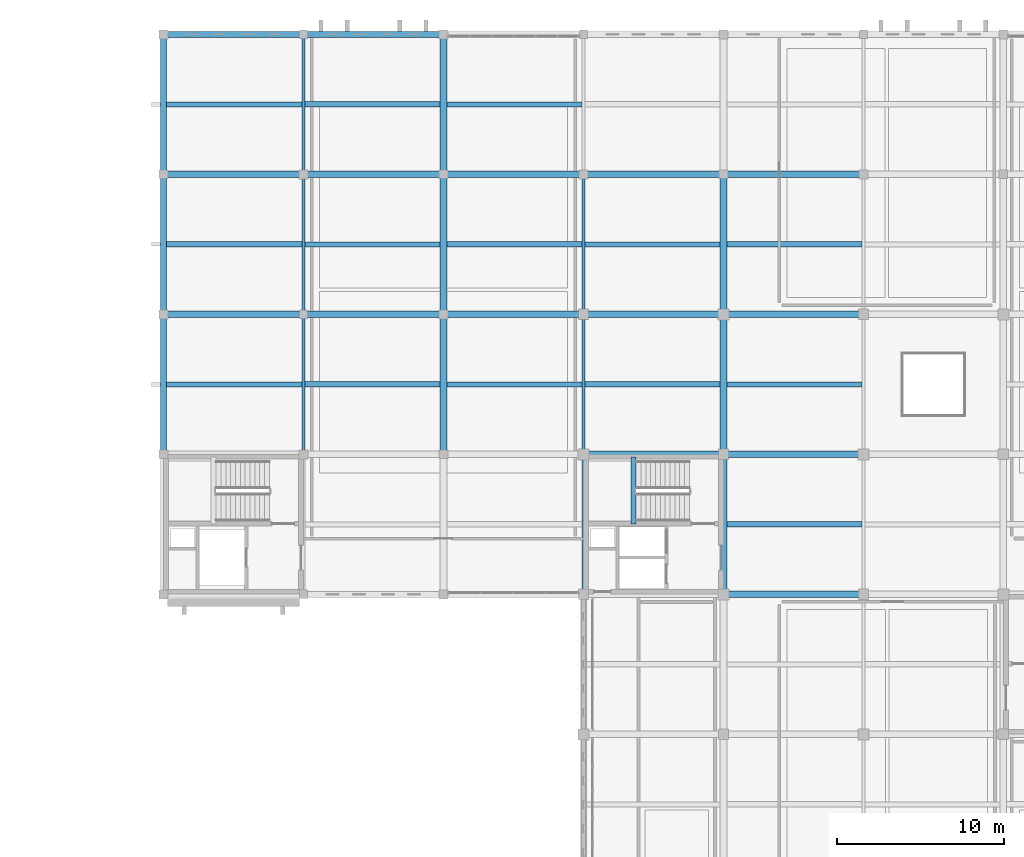
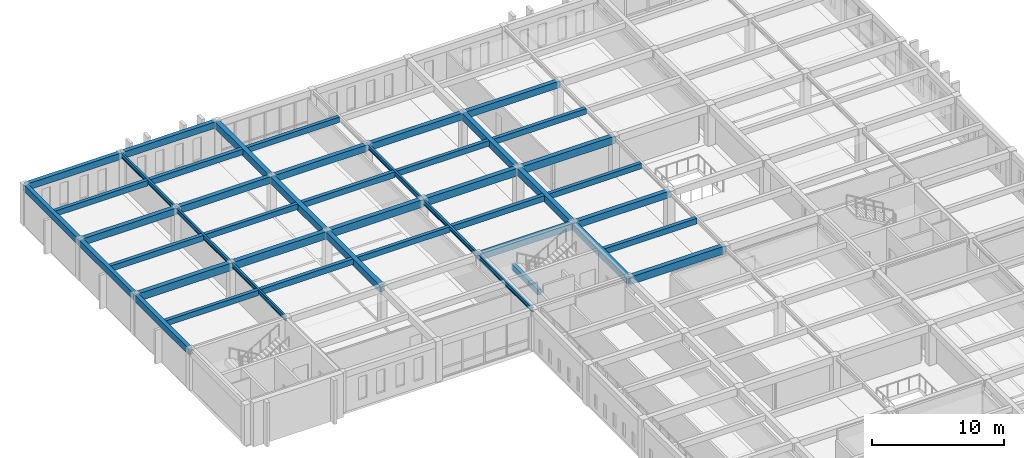
# One storey, part 17 of 47: 45 beams.
"""IFC4 building model written with IfcOpenShell, lengths in metres."""

from ifc_helpers import new_model, si_unit, direction, frame, origin, origin_2d, place, context, subcontext, project, spatial, rectangle, i_section, extrude, material, material_profile, profile_set, type_object, element, save


model = new_model("IFC4")

# Units and contexts
model_context = context("Model", 3, precision=1e-05, world=origin(), true_north=direction((0.0, 1.0)))
body_context = subcontext(model_context, "Body", "Model", "MODEL_VIEW")
ifc_project = project(units=[si_unit("LENGTHUNIT", "METRE"), si_unit("AREAUNIT", "SQUARE_METRE"), si_unit("VOLUMEUNIT", "CUBIC_METRE"), si_unit("PLANEANGLEUNIT", "RADIAN"), si_unit("MASSUNIT", "GRAM", prefix="KILO")], contexts=[model_context])

# Site, building, storey
site_placement = place(None, origin())
site = spatial("IfcSite", under=ifc_project, at=site_placement, CompositionType="ELEMENT")
building_placement = place(site_placement, origin())
building = spatial("IfcBuilding", under=site, at=building_placement, Name="Kveldsbrygga Polytechnic", CompositionType="ELEMENT")
storey_placement = place(building_placement, frame((0.0, 0.0, 13.93994140625)))
storey = spatial("IfcBuildingStorey", under=building, at=storey_placement, Name="L03", CompositionType="ELEMENT", Elevation=13.93994140625)

# Beams
ifc_material_1 = material(Name="Concrete C35/45", Category="concrete")
ifc_material_profile_1 = material_profile(ifc_material_1, rectangle(XDim=0.3798828125, YDim=0.6201171875, at=origin_2d()), Name="RC 380x620")
ifc_profile_set_1 = profile_set([ifc_material_profile_1], Name="Concrete C35/45")
beam_type_1 = type_object("IfcBeamType", Name="BM-RC-380x620", PredefinedType="BEAM", material=ifc_profile_set_1)
beam_1_placement = place(storey_placement, frame((126.0, 92.39990234375, 3.43994140625), z_axis=(1.0, 0.0, 0.0), x_axis=(0.0, 1.0, 0.0)))
element("IfcBeam", 1, at=beam_1_placement, inside=storey, type_object=beam_type_1, Name="Primary Beam BMX-L03-15to16-11", PredefinedType="BEAM", context=body_context, shape_type="SweptSolid", body=[
    extrude(rectangle(XDim=0.3798828125, YDim=0.6201171875, at=origin_2d()), origin(), (0.0, 0.0, 1.0), 8.39990234375),
])
beam_2_placement = place(storey_placement, frame((134.39990234375, 92.39990234375, 3.43994140625), z_axis=(1.0, 0.0, 0.0), x_axis=(0.0, 1.0, 0.0)))
element("IfcBeam", 2, at=beam_2_placement, inside=storey, type_object=beam_type_1, Name="Primary Beam BMX-L03-16to17-11", PredefinedType="BEAM", context=body_context, shape_type="SweptSolid", body=[
    extrude(rectangle(XDim=0.3798828125, YDim=0.6201171875, at=origin_2d()), origin(), (0.0, 0.0, 1.0), 8.400146484375),
])
beam_3_placement = place(storey_placement, frame((100.800048828125, 109.199951171875, 3.43994140625), z_axis=(1.0, 0.0, 0.0), x_axis=(0.0, 1.0, 0.0)))
element("IfcBeam", 3, at=beam_3_placement, inside=storey, type_object=beam_type_1, Name="Primary Beam BMX-L03-12to13-13", PredefinedType="BEAM", context=body_context, shape_type="SweptSolid", body=[
    extrude(rectangle(XDim=0.3798828125, YDim=0.6201171875, at=origin_2d()), origin(), (0.0, 0.0, 1.0), 8.39990234375),
])
beam_4_placement = place(storey_placement, frame((109.199951171875, 109.199951171875, 3.43994140625), z_axis=(1.0, 0.0, 0.0), x_axis=(0.0, 1.0, 0.0)))
element("IfcBeam", 4, at=beam_4_placement, inside=storey, type_object=beam_type_1, Name="Primary Beam BMX-L03-13to14-13", PredefinedType="BEAM", context=body_context, shape_type="SweptSolid", body=[
    extrude(rectangle(XDim=0.3798828125, YDim=0.6201171875, at=origin_2d()), origin(), (0.0, 0.0, 1.0), 8.400146484375),
])
for number, where, z_axis, x_axis, name in (
    (5, (117.60009765625, 109.199951171875, 3.43994140625), (1.0, 0.0, 0.0), (0.0, 1.0, 0.0), "Primary Beam BMX-L03-14to15-13"),
    (6, (126.0, 109.199951171875, 3.43994140625), (1.0, 0.0, 0.0), (0.0, 1.0, 0.0), "Primary Beam BMX-L03-15to16-13"),
):
    element("IfcBeam", number, at=place(storey_placement, frame(where, z_axis=z_axis, x_axis=x_axis)), inside=storey, type_object=beam_type_1, Name=name, PredefinedType="BEAM", context=body_context, shape_type="SweptSolid", body=[
        extrude(rectangle(XDim=0.3798828125, YDim=0.6201171875, at=origin_2d()), origin(), (0.0, 0.0, 1.0), 8.39990234375),
    ])
beam_5_placement = place(storey_placement, frame((134.39990234375, 109.199951171875, 3.43994140625), z_axis=(1.0, 0.0, 0.0), x_axis=(0.0, 1.0, 0.0)))
element("IfcBeam", 7, at=beam_5_placement, inside=storey, type_object=beam_type_1, Name="Primary Beam BMX-L03-16to17-13", PredefinedType="BEAM", context=body_context, shape_type="SweptSolid", body=[
    extrude(rectangle(XDim=0.3798828125, YDim=0.6201171875, at=origin_2d()), origin(), (0.0, 0.0, 1.0), 8.400146484375),
])
ifc_material_profile_2 = material_profile(ifc_material_1, rectangle(XDim=0.39990234375, YDim=0.64990234375, at=origin_2d()), Name="RC 400x650")
ifc_profile_set_2 = profile_set([ifc_material_profile_2], Name="Concrete C35/45")
beam_type_2 = type_object("IfcBeamType", Name="BM-RC-400x650", PredefinedType="BEAM", material=ifc_profile_set_2)
beam_6_placement = place(storey_placement, frame((117.60009765625, 92.39990234375, 3.425048828125), z_axis=(0.0, 1.0, 0.0), x_axis=(-1.0, 0.0, 0.0)))
element("IfcBeam", 8, at=beam_6_placement, inside=storey, type_object=beam_type_2, Name="Primary Beam BMY-L03-14-11to12", PredefinedType="BEAM", context=body_context, shape_type="SweptSolid", body=[
    extrude(rectangle(XDim=0.39990234375, YDim=0.64990234375, at=origin_2d()), origin(), (0.0, 0.0, 1.0), 8.400146484375),
])
beam_7_placement = place(storey_placement, frame((117.60009765625, 100.800048828125, 3.425048828125), z_axis=(0.0, 1.0, 0.0), x_axis=(-1.0, 0.0, 0.0)))
element("IfcBeam", 9, at=beam_7_placement, inside=storey, type_object=beam_type_2, Name="Primary Beam BMY-L03-14-12to13", PredefinedType="BEAM", context=body_context, shape_type="SweptSolid", body=[
    extrude(rectangle(XDim=0.39990234375, YDim=0.64990234375, at=origin_2d()), origin(), (0.0, 0.0, 1.0), 8.39990234375),
])
beam_8_placement = place(storey_placement, frame((117.60009765625, 109.199951171875, 3.425048828125), z_axis=(0.0, 1.0, 0.0), x_axis=(-1.0, 0.0, 0.0)))
element("IfcBeam", 10, at=beam_8_placement, inside=storey, type_object=beam_type_2, Name="Primary Beam BMY-L03-14-13to14", PredefinedType="BEAM", context=body_context, shape_type="SweptSolid", body=[
    extrude(rectangle(XDim=0.39990234375, YDim=0.64990234375, at=origin_2d()), origin(), (0.0, 0.0, 1.0), 8.400146484375),
])
beam_9_placement = place(storey_placement, frame((134.39990234375, 84.0, 3.425048828125), z_axis=(0.0, 1.0, 0.0), x_axis=(-1.0, 0.0, 0.0)))
element("IfcBeam", 11, at=beam_9_placement, inside=storey, type_object=beam_type_2, Name="Primary Beam BMY-L03-16-10to11", PredefinedType="BEAM", context=body_context, shape_type="SweptSolid", body=[
    extrude(rectangle(XDim=0.39990234375, YDim=0.64990234375, at=origin_2d()), origin(), (0.0, 0.0, 1.0), 8.39990234375),
])
beam_10_placement = place(storey_placement, frame((134.39990234375, 92.39990234375, 3.425048828125), z_axis=(0.0, 1.0, 0.0), x_axis=(-1.0, 0.0, 0.0)))
element("IfcBeam", 12, at=beam_10_placement, inside=storey, type_object=beam_type_2, Name="Primary Beam BMY-L03-16-11to12", PredefinedType="BEAM", context=body_context, shape_type="SweptSolid", body=[
    extrude(rectangle(XDim=0.39990234375, YDim=0.64990234375, at=origin_2d()), origin(), (0.0, 0.0, 1.0), 8.400146484375),
])
beam_11_placement = place(storey_placement, frame((134.39990234375, 100.800048828125, 3.425048828125), z_axis=(0.0, 1.0, 0.0), x_axis=(-1.0, 0.0, 0.0)))
element("IfcBeam", 13, at=beam_11_placement, inside=storey, type_object=beam_type_2, Name="Primary Beam BMY-L03-16-12to13", PredefinedType="BEAM", context=body_context, shape_type="SweptSolid", body=[
    extrude(rectangle(XDim=0.39990234375, YDim=0.64990234375, at=origin_2d()), origin(), (0.0, 0.0, 1.0), 8.39990234375),
])
ifc_material_profile_3 = material_profile(ifc_material_1, rectangle(XDim=0.39990234375, YDim=0.699951171875, at=origin_2d()), Name="RC 400x700")
ifc_profile_set_3 = profile_set([ifc_material_profile_3], Name="Concrete C35/45")
beam_type_3 = type_object("IfcBeamType", Name="BM-RC-400x700", PredefinedType="BEAM", material=ifc_profile_set_3)
beam_12_placement = place(storey_placement, frame((134.39990234375, 84.0, 3.400146484375), z_axis=(1.0, 0.0, 0.0), x_axis=(0.0, 1.0, 0.0)))
element("IfcBeam", 14, at=beam_12_placement, inside=storey, type_object=beam_type_3, Name="Primary Beam BMX-L03-16to17-10", PredefinedType="BEAM", context=body_context, shape_type="SweptSolid", body=[
    extrude(rectangle(XDim=0.39990234375, YDim=0.699951171875, at=origin_2d()), origin(), (0.0, 0.0, 1.0), 8.400146484375),
])
beam_13_placement = place(storey_placement, frame((100.800048828125, 100.800048828125, 3.400146484375), z_axis=(1.0, 0.0, 0.0), x_axis=(0.0, 1.0, 0.0)))
element("IfcBeam", 15, at=beam_13_placement, inside=storey, type_object=beam_type_3, Name="Primary Beam BMX-L03-12to13-12", PredefinedType="BEAM", context=body_context, shape_type="SweptSolid", body=[
    extrude(rectangle(XDim=0.39990234375, YDim=0.699951171875, at=origin_2d()), origin(), (0.0, 0.0, 1.0), 8.39990234375),
])
beam_14_placement = place(storey_placement, frame((109.199951171875, 100.800048828125, 3.400146484375), z_axis=(1.0, 0.0, 0.0), x_axis=(0.0, 1.0, 0.0)))
element("IfcBeam", 16, at=beam_14_placement, inside=storey, type_object=beam_type_3, Name="Primary Beam BMX-L03-13to14-12", PredefinedType="BEAM", context=body_context, shape_type="SweptSolid", body=[
    extrude(rectangle(XDim=0.39990234375, YDim=0.699951171875, at=origin_2d()), origin(), (0.0, 0.0, 1.0), 8.400146484375),
])
for number, where, z_axis, x_axis, name in (
    (17, (117.60009765625, 100.800048828125, 3.400146484375), (1.0, 0.0, 0.0), (0.0, 1.0, 0.0), "Primary Beam BMX-L03-14to15-12"),
    (18, (126.0, 100.800048828125, 3.400146484375), (1.0, 0.0, 0.0), (0.0, 1.0, 0.0), "Primary Beam BMX-L03-15to16-12"),
):
    element("IfcBeam", number, at=place(storey_placement, frame(where, z_axis=z_axis, x_axis=x_axis)), inside=storey, type_object=beam_type_3, Name=name, PredefinedType="BEAM", context=body_context, shape_type="SweptSolid", body=[
        extrude(rectangle(XDim=0.39990234375, YDim=0.699951171875, at=origin_2d()), origin(), (0.0, 0.0, 1.0), 8.39990234375),
    ])
beam_15_placement = place(storey_placement, frame((134.39990234375, 100.800048828125, 3.400146484375), z_axis=(1.0, 0.0, 0.0), x_axis=(0.0, 1.0, 0.0)))
element("IfcBeam", 19, at=beam_15_placement, inside=storey, type_object=beam_type_3, Name="Primary Beam BMX-L03-16to17-12", PredefinedType="BEAM", context=body_context, shape_type="SweptSolid", body=[
    extrude(rectangle(XDim=0.39990234375, YDim=0.699951171875, at=origin_2d()), origin(), (0.0, 0.0, 1.0), 8.400146484375),
])
ifc_material_profile_4 = material_profile(ifc_material_1, rectangle(XDim=0.35009765625, YDim=0.60009765625, at=origin_2d()), Name="RC 350x600")
ifc_profile_set_4 = profile_set([ifc_material_profile_4], Name="Concrete C35/45")
beam_type_4 = type_object("IfcBeamType", Name="BM-SPANDREL-600", PredefinedType="T_BEAM", material=ifc_profile_set_4)
beam_16_placement = place(storey_placement, frame((100.800048828125, 117.60009765625, 3.449951171875), z_axis=(1.0, 0.0, 0.0), x_axis=(0.0, 1.0, 0.0)))
element("IfcBeam", 20, at=beam_16_placement, inside=storey, type_object=beam_type_4, Name="Primary Beam BMX-L03-12to13-14", PredefinedType="T_BEAM", context=body_context, shape_type="SweptSolid", body=[
    extrude(rectangle(XDim=0.35009765625, YDim=0.60009765625, at=origin_2d()), origin(), (0.0, 0.0, 1.0), 8.39990234375),
])
for number, where, z_axis, x_axis, name in (
    (21, (109.199951171875, 117.60009765625, 3.449951171875), (1.0, 0.0, 0.0), (0.0, 1.0, 0.0), "Primary Beam BMX-L03-13to14-14"),
    (22, (100.800048828125, 92.39990234375, 3.449951171875), (0.0, 1.0, 0.0), (-1.0, 0.0, 0.0), "Primary Beam BMY-L03-12-11to12"),
):
    element("IfcBeam", number, at=place(storey_placement, frame(where, z_axis=z_axis, x_axis=x_axis)), inside=storey, type_object=beam_type_4, Name=name, PredefinedType="T_BEAM", context=body_context, shape_type="SweptSolid", body=[
        extrude(rectangle(XDim=0.35009765625, YDim=0.60009765625, at=origin_2d()), origin(), (0.0, 0.0, 1.0), 8.400146484375),
    ])
beam_17_placement = place(storey_placement, frame((100.800048828125, 100.800048828125, 3.449951171875), z_axis=(0.0, 1.0, 0.0), x_axis=(-1.0, 0.0, 0.0)))
element("IfcBeam", 23, at=beam_17_placement, inside=storey, type_object=beam_type_4, Name="Primary Beam BMY-L03-12-12to13", PredefinedType="T_BEAM", context=body_context, shape_type="SweptSolid", body=[
    extrude(rectangle(XDim=0.35009765625, YDim=0.60009765625, at=origin_2d()), origin(), (0.0, 0.0, 1.0), 8.39990234375),
])
beam_18_placement = place(storey_placement, frame((100.800048828125, 109.199951171875, 3.449951171875), z_axis=(0.0, 1.0, 0.0), x_axis=(-1.0, 0.0, 0.0)))
element("IfcBeam", 24, at=beam_18_placement, inside=storey, type_object=beam_type_4, Name="Primary Beam BMY-L03-12-13to14", PredefinedType="T_BEAM", context=body_context, shape_type="SweptSolid", body=[
    extrude(rectangle(XDim=0.35009765625, YDim=0.60009765625, at=origin_2d()), origin(), (0.0, 0.0, 1.0), 8.400146484375),
])
ifc_material_2 = material(Name="Steel S355", Category="steel")
ifc_material_profile_5 = material_profile(ifc_material_2, i_section(OverallWidth=0.179931640625, OverallDepth=0.39990234375, WebThickness=0.008544921875, FlangeThickness=0.013427734375, FilletRadius=0.02099609375, at=origin_2d()), Name="IPE 400")
ifc_profile_set_5 = profile_set([ifc_material_profile_5], Name="Steel S355")
beam_type_5 = type_object("IfcBeamType", Name="BM-STL-IPE400", PredefinedType="BEAM", material=ifc_profile_set_5)
beam_19_placement = place(storey_placement, frame((109.199951171875, 92.39990234375, 3.550048828125), z_axis=(0.0, 1.0, 0.0), x_axis=(-1.0, 0.0, 0.0)))
element("IfcBeam", 25, at=beam_19_placement, inside=storey, type_object=beam_type_5, Name="Primary Beam BMY-L03-13-11to12", PredefinedType="BEAM", context=body_context, shape_type="SweptSolid", body=[
    extrude(i_section(OverallWidth=0.179931640625, OverallDepth=0.39990234375, WebThickness=0.008544921875, FlangeThickness=0.013427734375, FilletRadius=0.02099609375, at=origin_2d()), origin(), (0.0, 0.0, 1.0), 8.400146484375),
])
beam_20_placement = place(storey_placement, frame((109.199951171875, 100.800048828125, 3.550048828125), z_axis=(0.0, 1.0, 0.0), x_axis=(-1.0, 0.0, 0.0)))
element("IfcBeam", 26, at=beam_20_placement, inside=storey, type_object=beam_type_5, Name="Primary Beam BMY-L03-13-12to13", PredefinedType="BEAM", context=body_context, shape_type="SweptSolid", body=[
    extrude(i_section(OverallWidth=0.179931640625, OverallDepth=0.39990234375, WebThickness=0.008544921875, FlangeThickness=0.013427734375, FilletRadius=0.02099609375, at=origin_2d()), origin(), (0.0, 0.0, 1.0), 8.39990234375),
])
beam_21_placement = place(storey_placement, frame((109.199951171875, 109.199951171875, 3.550048828125), z_axis=(0.0, 1.0, 0.0), x_axis=(-1.0, 0.0, 0.0)))
element("IfcBeam", 27, at=beam_21_placement, inside=storey, type_object=beam_type_5, Name="Primary Beam BMY-L03-13-13to14", PredefinedType="BEAM", context=body_context, shape_type="SweptSolid", body=[
    extrude(i_section(OverallWidth=0.179931640625, OverallDepth=0.39990234375, WebThickness=0.008544921875, FlangeThickness=0.013427734375, FilletRadius=0.02099609375, at=origin_2d()), origin(), (0.0, 0.0, 1.0), 8.400146484375),
])
beam_22_placement = place(storey_placement, frame((126.0, 84.0, 3.550048828125), z_axis=(0.0, 1.0, 0.0), x_axis=(-1.0, 0.0, 0.0)))
element("IfcBeam", 28, at=beam_22_placement, inside=storey, type_object=beam_type_5, Name="Primary Beam BMY-L03-15-10to11", PredefinedType="BEAM", context=body_context, shape_type="SweptSolid", body=[
    extrude(i_section(OverallWidth=0.179931640625, OverallDepth=0.39990234375, WebThickness=0.008544921875, FlangeThickness=0.013427734375, FilletRadius=0.02099609375, at=origin_2d()), origin(), (0.0, 0.0, 1.0), 8.39990234375),
])
beam_23_placement = place(storey_placement, frame((126.0, 92.39990234375, 3.550048828125), z_axis=(0.0, 1.0, 0.0), x_axis=(-1.0, 0.0, 0.0)))
element("IfcBeam", 29, at=beam_23_placement, inside=storey, type_object=beam_type_5, Name="Primary Beam BMY-L03-15-11to12", PredefinedType="BEAM", context=body_context, shape_type="SweptSolid", body=[
    extrude(i_section(OverallWidth=0.179931640625, OverallDepth=0.39990234375, WebThickness=0.008544921875, FlangeThickness=0.013427734375, FilletRadius=0.02099609375, at=origin_2d()), origin(), (0.0, 0.0, 1.0), 8.400146484375),
])
beam_24_placement = place(storey_placement, frame((126.0, 100.800048828125, 3.550048828125), z_axis=(0.0, 1.0, 0.0), x_axis=(-1.0, 0.0, 0.0)))
element("IfcBeam", 30, at=beam_24_placement, inside=storey, type_object=beam_type_5, Name="Primary Beam BMY-L03-15-12to13", PredefinedType="BEAM", context=body_context, shape_type="SweptSolid", body=[
    extrude(i_section(OverallWidth=0.179931640625, OverallDepth=0.39990234375, WebThickness=0.008544921875, FlangeThickness=0.013427734375, FilletRadius=0.02099609375, at=origin_2d()), origin(), (0.0, 0.0, 1.0), 8.39990234375),
])
ifc_material_profile_6 = material_profile(ifc_material_1, rectangle(XDim=0.300048828125, YDim=0.5, at=origin_2d()), Name="RC 300x500")
ifc_profile_set_6 = profile_set([ifc_material_profile_6], Name="Concrete C35/45")
beam_type_6 = type_object("IfcBeamType", Name="JST-RC-300x500", PredefinedType="JOIST", material=ifc_profile_set_6)
for number, where, z_axis, x_axis, name in (
    (31, (100.97509765625, 96.60009765625, 3.5), (1.0, 0.0, 0.0), (0.0, 1.0, 0.0), "Secondary Joist JST-L03-12-11"),
    (32, (100.97509765625, 113.39990234375, 3.5), (1.0, 0.0, 0.0), (0.0, 1.0, 0.0), "Secondary Joist JST-L03-12-13"),
):
    element("IfcBeam", number, at=place(storey_placement, frame(where, z_axis=z_axis, x_axis=x_axis)), inside=storey, type_object=beam_type_6, Name=name, PredefinedType="JOIST", context=body_context, shape_type="SweptSolid", body=[
        extrude(rectangle(XDim=0.300048828125, YDim=0.5, at=origin_2d()), origin(), (0.0, 0.0, 1.0), 8.135009765625),
    ])
for number, where, z_axis, x_axis, name in (
    (33, (109.2900390625, 105.0, 3.5), (1.0, 0.0, 0.0), (0.0, 1.0, 0.0), "Secondary Joist JST-L03-13-12"),
    (34, (117.800048828125, 96.60009765625, 3.5), (1.0, 0.0, 0.0), (0.0, 1.0, 0.0), "Secondary Joist JST-L03-14-11"),
    (35, (117.800048828125, 113.39990234375, 3.5), (1.0, 0.0, 0.0), (0.0, 1.0, 0.0), "Secondary Joist JST-L03-14-13"),
    (36, (126.090087890625, 105.0, 3.5), (1.0, 0.0, 0.0), (0.0, 1.0, 0.0), "Secondary Joist JST-L03-15-12"),
    (37, (134.60009765625, 96.60009765625, 3.5), (1.0, 0.0, 0.0), (0.0, 1.0, 0.0), "Secondary Joist JST-L03-16-11"),
):
    element("IfcBeam", number, at=place(storey_placement, frame(where, z_axis=z_axis, x_axis=x_axis)), inside=storey, type_object=beam_type_6, Name=name, PredefinedType="JOIST", context=body_context, shape_type="SweptSolid", body=[
        extrude(rectangle(XDim=0.300048828125, YDim=0.5, at=origin_2d()), origin(), (0.0, 0.0, 1.0), 8.10986328125),
    ])
ifc_material_profile_7 = material_profile(ifc_material_1, rectangle(XDim=0.320068359375, YDim=0.52001953125, at=origin_2d()), Name="RC 320x520")
ifc_profile_set_7 = profile_set([ifc_material_profile_7], Name="Concrete C35/45")
beam_type_7 = type_object("IfcBeamType", Name="JST-RC-320x520", PredefinedType="JOIST", material=ifc_profile_set_7)
beam_25_placement = place(storey_placement, frame((100.97509765625, 105.0, 3.489990234375), z_axis=(1.0, 0.0, 0.0), x_axis=(0.0, 1.0, 0.0)))
element("IfcBeam", 38, at=beam_25_placement, inside=storey, type_object=beam_type_7, Name="Secondary Joist JST-L03-12-12", PredefinedType="JOIST", context=body_context, shape_type="SweptSolid", body=[
    extrude(rectangle(XDim=0.320068359375, YDim=0.52001953125, at=origin_2d()), origin(), (0.0, 0.0, 1.0), 8.135009765625),
])
for number, where, z_axis, x_axis, name in (
    (39, (109.2900390625, 96.60009765625, 3.489990234375), (1.0, 0.0, 0.0), (0.0, 1.0, 0.0), "Secondary Joist JST-L03-13-11"),
    (40, (109.2900390625, 113.39990234375, 3.489990234375), (1.0, 0.0, 0.0), (0.0, 1.0, 0.0), "Secondary Joist JST-L03-13-13"),
    (41, (117.800048828125, 105.0, 3.489990234375), (1.0, 0.0, 0.0), (0.0, 1.0, 0.0), "Secondary Joist JST-L03-14-12"),
    (42, (126.090087890625, 96.60009765625, 3.489990234375), (1.0, 0.0, 0.0), (0.0, 1.0, 0.0), "Secondary Joist JST-L03-15-11"),
    (43, (134.60009765625, 88.199951171875, 3.489990234375), (1.0, 0.0, 0.0), (0.0, 1.0, 0.0), "Secondary Joist JST-L03-16-10"),
    (44, (134.60009765625, 105.0, 3.489990234375), (1.0, 0.0, 0.0), (0.0, 1.0, 0.0), "Secondary Joist JST-L03-16-12"),
):
    element("IfcBeam", number, at=place(storey_placement, frame(where, z_axis=z_axis, x_axis=x_axis)), inside=storey, type_object=beam_type_7, Name=name, PredefinedType="JOIST", context=body_context, shape_type="SweptSolid", body=[
        extrude(rectangle(XDim=0.320068359375, YDim=0.52001953125, at=origin_2d()), origin(), (0.0, 0.0, 1.0), 8.10986328125),
    ])
ifc_material_profile_8 = material_profile(ifc_material_1, rectangle(XDim=0.300048828125, YDim=0.5, at=origin_2d()), Name="RC 300x500")
ifc_profile_set_8 = profile_set([ifc_material_profile_8], Name="Concrete C35/45")
beam_type_8 = type_object("IfcBeamType", Name="LNT-RC-300x500", PredefinedType="LINTEL", material=ifc_profile_set_8)
beam_26_placement = place(storey_placement, frame((129.010009765625, 88.22998046875, 1.590087890625), z_axis=(0.0, 1.0, 0.0), x_axis=(-1.0, 0.0, 0.0)))
element("IfcBeam", 45, at=beam_26_placement, inside=storey, type_object=beam_type_8, Name="Stair Landing Support Beam C2-L03-LNDB-1-1", PredefinedType="LINTEL", context=body_context, shape_type="SweptSolid", body=[
    extrude(rectangle(XDim=0.300048828125, YDim=0.5, at=origin_2d()), origin(), (0.0, 0.0, 1.0), 4.02001953125),
])

save(model, "model.ifc")
